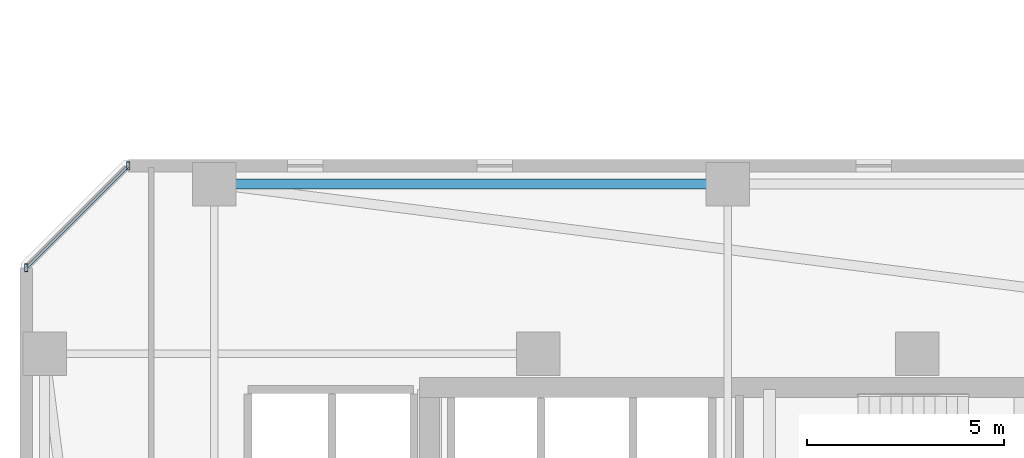
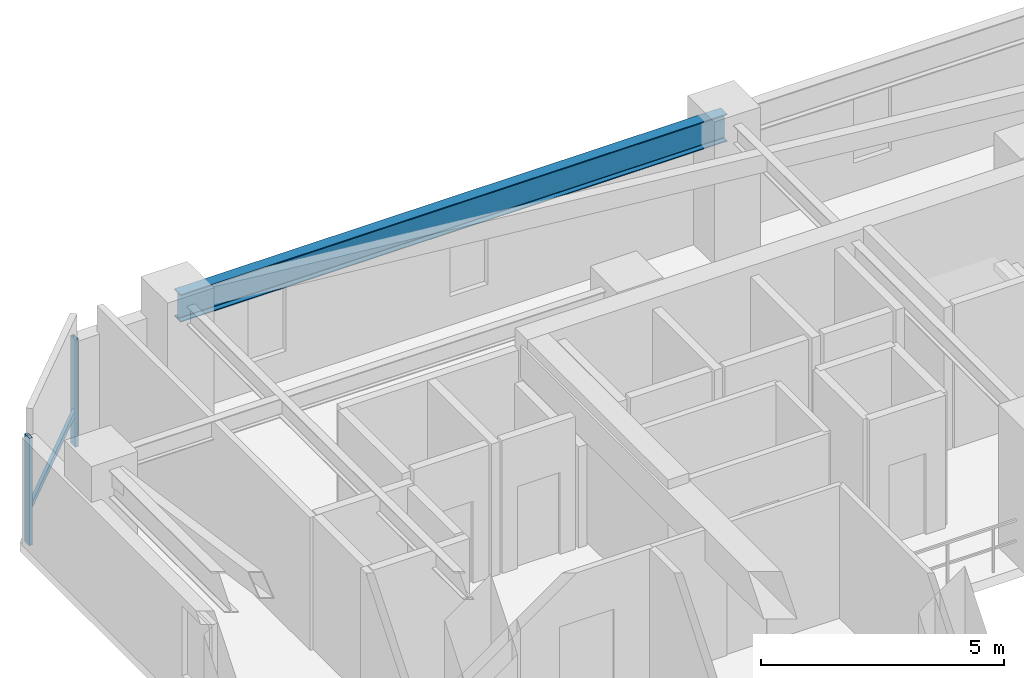
# One storey, part 8 of 33: 3 members, 1 beam, 1 element without a shape of its own.
"""IFC4 building model written with IfcOpenShell, lengths in metres."""

from ifc_helpers import new_model, si_unit, direction, frame, origin, origin_2d, place, context, subcontext, project, spatial, hollow_rectangle, i_section, extrude, material, material_profile, profile_set, type_object, element, aggregate, save


model = new_model("IFC4")

# Units and contexts
model_context = context("Model", 3, precision=1e-05, world=origin(), true_north=direction((0.0, 1.0)))
body_context = subcontext(model_context, "Body", "Model", "MODEL_VIEW")
ifc_project = project(units=[si_unit("LENGTHUNIT", "METRE"), si_unit("AREAUNIT", "SQUARE_METRE"), si_unit("VOLUMEUNIT", "CUBIC_METRE"), si_unit("PLANEANGLEUNIT", "RADIAN"), si_unit("MASSUNIT", "GRAM", prefix="KILO")], contexts=[model_context])

# Site, building, storey
site_placement = place(None, origin())
site = spatial("IfcSite", under=ifc_project, at=site_placement, CompositionType="ELEMENT")
building_placement = place(site_placement, origin())
building = spatial("IfcBuilding", under=site, at=building_placement, Name="Thornwick Lancets Civic Towers", CompositionType="ELEMENT")
storey_placement = place(building_placement, frame((0.0, 0.0, 159.89990234375)))
storey = spatial("IfcBuildingStorey", under=building, at=storey_placement, Name="L42", CompositionType="ELEMENT", Elevation=159.89990234375)

# Beam
ifc_material_1 = material(Name="Steel S355JR", Category="steel")
ifc_material_profile_1 = material_profile(ifc_material_1, i_section(OverallWidth=0.255859375, OverallDepth=0.69287109375, WebThickness=0.014404296875, FlangeThickness=0.023681640625, FilletRadius=0.01513671875, at=origin_2d()), Name="UKB 686x254x170")
ifc_profile_set_1 = profile_set([ifc_material_profile_1], Name="Steel S355JR")
beam_type = type_object("IfcBeamType", Name="BM_GIRD_686_170", PredefinedType="BEAM", material=ifc_profile_set_1)
beam_placement = place(storey_placement, frame((12.5, 44.300048828125, 3.013671875), z_axis=(1.0, 0.0, 0.0), x_axis=(0.0, 1.0, 0.0)))
element("IfcBeam", 1, at=beam_placement, inside=storey, type_object=beam_type, Name="BM-SPINE-L42-A-6-7", PredefinedType="BEAM", context=body_context, shape_type="SweptSolid", body=[
    extrude(i_section(OverallWidth=0.255859375, OverallDepth=0.69287109375, WebThickness=0.014404296875, FlangeThickness=0.023681640625, FilletRadius=0.01513671875, at=origin_2d()), origin(), (0.0, 0.0, 1.0), 13.0),
])

# Curtain wall, members
ifc_material_2 = material(Name="Mid-zone chamfered-corner unitised glass curtain wall", Category="glass")
curtain_wall_type = type_object("IfcCurtainWallType", Name="CW_SYS_04", PredefinedType="NOTDEFINED", material=ifc_material_2)
curtain_wall_placement = place(storey_placement, origin())
curtain_wall = element("IfcCurtainWall", 2, at=curtain_wall_placement, inside=storey, type_object=curtain_wall_type, Name="L42 Curtain Wall CW-L42-A-E5", PredefinedType="NOTDEFINED")
ifc_material_3 = material(Name="Thermally broken bronze aluminium S355", Category="steel")
ifc_material_profile_2 = material_profile(ifc_material_3, hollow_rectangle(XDim=0.080078125, YDim=0.199951171875, WallThickness=0.006103515625, at=origin_2d()), Name="RHS 200x80x6")
ifc_profile_set_2 = profile_set([ifc_material_profile_2], Name="Thermally broken bronze aluminium S355")
member_type_1 = type_object("IfcMemberType", Name="CW_MUL_200", PredefinedType="MULLION", material=ifc_profile_set_2)
member_1_placement = place(storey_placement, frame((10.318603515625, 44.7646484375, 0.0), z_axis=(0.0, 0.0, 1.0), x_axis=(1.0, 0.0, 0.0)))
member_1 = element("IfcMember", 3, at=member_1_placement, type_object=member_type_1, Name="CW-L42-A-E5 Mullion 0", PredefinedType="MULLION", context=body_context, shape_type="SweptSolid", body=[
    extrude(hollow_rectangle(XDim=0.080078125, YDim=0.199951171875, WallThickness=0.006103515625, at=origin_2d()), origin(), (0.0, 0.0, 1.0), 2.7001953125),
])
member_2_placement = place(storey_placement, frame((7.7353515625, 42.181396484375, 0.0), z_axis=(0.0, 0.0, 1.0), x_axis=(1.0, 0.0, 0.0)))
member_2 = element("IfcMember", 4, at=member_2_placement, type_object=member_type_1, Name="CW-L42-A-E5 Mullion 1", PredefinedType="MULLION", context=body_context, shape_type="SweptSolid", body=[
    extrude(hollow_rectangle(XDim=0.080078125, YDim=0.199951171875, WallThickness=0.006103515625, at=origin_2d()), origin(), (0.0, 0.0, 1.0), 2.7001953125),
])
ifc_material_profile_3 = material_profile(ifc_material_3, hollow_rectangle(XDim=0.074951171875, YDim=0.14990234375, WallThickness=0.0048828125, at=origin_2d()), Name="RHS 150x75x5")
ifc_profile_set_3 = profile_set([ifc_material_profile_3], Name="Thermally broken bronze aluminium S355")
member_type_2 = type_object("IfcMemberType", Name="CW_TRN_150", PredefinedType="USERDEFINED", material=ifc_profile_set_3)
member_3_placement = place(storey_placement, frame((10.304443359375, 44.75048828125, 0.85009765625), z_axis=(-0.707106781187, -0.707106781187, 0.0), x_axis=(0.707106781187, -0.707106781187, 0.0)))
member_3 = element("IfcMember", 5, at=member_3_placement, type_object=member_type_2, Name="CW-L42-A-E5 Transom 0", ObjectType="TRANSOM", PredefinedType="USERDEFINED", context=body_context, shape_type="SweptSolid", body=[
    extrude(hollow_rectangle(XDim=0.074951171875, YDim=0.14990234375, WallThickness=0.0048828125, at=origin_2d()), origin(), (0.0, 0.0, 1.0), 3.61328125),
])
aggregate(curtain_wall, [member_1, member_2, member_3])

save(model, "model.ifc")
